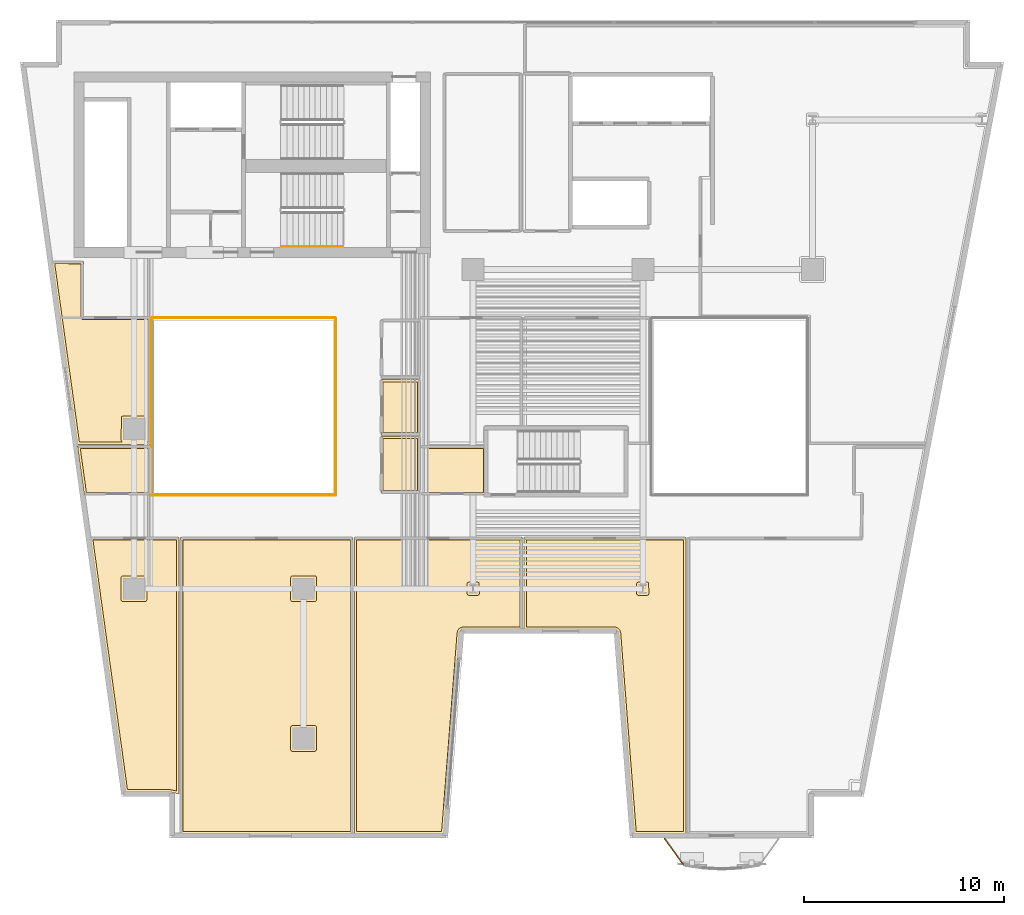
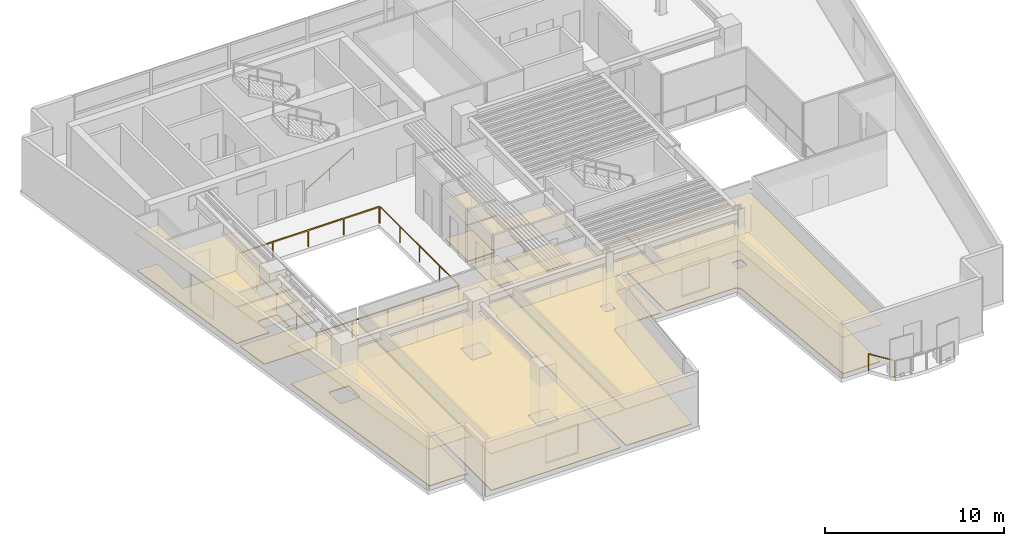
# One storey, part 9 of 12: 18 coverings, 6 railings.
"""IFC4 building model written with IfcOpenShell, lengths in metres."""

from ifc_helpers import new_model, si_unit, direction, frame, origin, origin_2d, place, context, subcontext, project, spatial, polyline, rectangle, outline, extrude, material, layer, layer_set, type_object, element, save


model = new_model("IFC4")

# Units and contexts
model_context = context("Model", 3, precision=1e-05, world=origin(), true_north=direction((0.0, 1.0)))
body_context = subcontext(model_context, "Body", "Model", "MODEL_VIEW")
ifc_project = project(units=[si_unit("LENGTHUNIT", "METRE"), si_unit("AREAUNIT", "SQUARE_METRE"), si_unit("VOLUMEUNIT", "CUBIC_METRE"), si_unit("PLANEANGLEUNIT", "RADIAN"), si_unit("MASSUNIT", "GRAM", prefix="KILO")], contexts=[model_context])

# Site, building, storey
site_placement = place(None, origin())
site = spatial("IfcSite", under=ifc_project, at=site_placement, CompositionType="ELEMENT")
building_placement = place(site_placement, origin())
building = spatial("IfcBuilding", under=site, at=building_placement, Name="Caeloran Harvest Quay", CompositionType="ELEMENT")
storey_placement = place(building_placement, frame((0.0, 0.0, 146.949951171875)))
storey = spatial("IfcBuildingStorey", under=building, at=storey_placement, Name="L34", CompositionType="ELEMENT", Elevation=146.949951171875)

# Coverings
ifc_material_1 = material(Name="Perforated Mineral-Fibre Acoustic Ceiling Tile", Category="ceiling")
ifc_layer_1 = layer(ifc_material_1, 0.0400390625, Name="Perforated Mineral-Fibre Acoustic Ceiling Tile")
ifc_layer_set_1 = layer_set([ifc_layer_1], Name="Perforated Mineral-Fibre Acoustic Ceiling Tile")
covering_type_1 = type_object("IfcCoveringType", Name="COV-CEILING-ACOUSTIC", PredefinedType="CEILING", material=ifc_layer_set_1)
covering_1_placement = place(storey_placement, frame((0.0, 0.0, 2.60009765625)))
element("IfcCovering", 1, at=covering_1_placement, inside=storey, type_object=covering_type_1, Name="L34 Female Washroom WC Acoustic Ceiling", PredefinedType="CEILING", context=body_context, shape_type="SweptSolid", body=[
    extrude(outline(polyline([(22.840087890625, 22.7099609375), (20.8701171875, 22.7099609375), (20.8701171875, 25.489990234375), (22.840087890625, 25.489990234375), (22.840087890625, 22.7099609375)])), origin(), (0.0, 0.0, 1.0), 0.0400390625),
])
covering_2_placement = place(storey_placement, frame((0.0, 0.0, 2.60009765625)))
element("IfcCovering", 2, at=covering_2_placement, inside=storey, type_object=covering_type_1, Name="L34 Accessible Unisex Washroom WC Acoustic Ceiling", PredefinedType="CEILING", context=body_context, shape_type="SweptSolid", body=[
    extrude(outline(polyline([(22.840087890625, 19.81005859375), (20.8701171875, 19.81005859375), (20.8701171875, 22.639892578125), (22.840087890625, 22.639892578125), (22.840087890625, 19.81005859375)])), origin(), (0.0, 0.0, 1.0), 0.0400390625),
])
covering_3_placement = place(storey_placement, frame((0.0, 0.0, 2.60009765625)))
element("IfcCovering", 3, at=covering_3_placement, inside=storey, type_object=covering_type_1, Name="Supply-Chain Digital Trading Floor Office Acoustic Ceiling", PredefinedType="CEILING", context=body_context, shape_type="SweptSolid", body=[
    extrude(outline(polyline([(19.4599609375, 2.719970703125), (10.840087890625, 2.719970703125), (10.840087890625, 17.56005859375), (19.4599609375, 17.56005859375), (19.4599609375, 2.719970703125)])), origin(), (0.0, 0.0, 1.0), 0.0400390625),
])
covering_4_placement = place(storey_placement, frame((0.0, 0.0, 2.60009765625)))
element("IfcCovering", 4, at=covering_4_placement, inside=storey, type_object=covering_type_1, Name="Climate Risk Modelling Office Acoustic Ceiling", PredefinedType="CEILING", context=body_context, shape_type="SweptSolid", body=[
    extrude(outline(polyline([(24.986572265625, 12.965576171875), (24.925048828125, 12.943359375), (24.8583984375, 12.887451171875), (24.810546875, 12.76611328125), (24.026611328125, 2.719970703125), (19.5400390625, 2.719970703125), (19.5400390625, 17.56005859375), (27.9599609375, 17.56005859375), (27.9599609375, 12.969970703125), (24.986572265625, 12.965576171875)])), origin(), (0.0, 0.0, 1.0), 0.0400390625),
])
covering_5_placement = place(storey_placement, frame((0.0, 0.0, 2.60009765625)))
element("IfcCovering", 5, at=covering_5_placement, inside=storey, type_object=covering_type_1, Name="Quantitative Analytics Office Acoustic Ceiling", PredefinedType="CEILING", context=body_context, shape_type="SweptSolid", body=[
    extrude(outline(polyline([(10.333740234375, 4.810546875), (8.0712890625, 4.820068359375), (6.309326171875, 17.56005859375), (10.760009765625, 17.56005859375), (10.760009765625, 4.729248046875), (10.390380859375, 4.783935546875), (10.333740234375, 4.810546875)])), origin(), (0.0, 0.0, 1.0), 0.0400390625),
])
covering_6_placement = place(storey_placement, frame((0.0, 0.0, 2.60009765625)))
element("IfcCovering", 6, at=covering_6_placement, inside=storey, type_object=covering_type_1, Name="Video-Conference Boardroom Acoustic Ceiling", PredefinedType="CEILING", context=body_context, shape_type="SweptSolid", body=[
    extrude(outline(polyline([(32.771484375, 12.788818359375), (32.739501953125, 12.86962890625), (32.696044921875, 12.918701171875), (32.61962890625, 12.960205078125), (32.553955078125, 12.969970703125), (28.0400390625, 12.969970703125), (28.0400390625, 17.56005859375), (36.159912109375, 17.56005859375), (36.159912109375, 2.719970703125), (33.55859375, 2.719970703125), (32.771484375, 12.788818359375)])), origin(), (0.0, 0.0, 1.0), 0.0400390625),
])
covering_7_placement = place(storey_placement, frame((0.0, 0.0, 2.60009765625)))
element("IfcCovering", 7, at=covering_7_placement, inside=storey, type_object=covering_type_1, Name="Executive Briefing Conference Room Acoustic Ceiling", PredefinedType="CEILING", context=body_context, shape_type="SweptSolid", body=[
    extrude(outline(polyline([(26.139892578125, 22.159912109375), (26.139892578125, 19.7099609375), (22.8701171875, 19.7099609375), (22.8701171875, 22.159912109375), (26.139892578125, 22.159912109375)])), origin(), (0.0, 0.0, 1.0), 0.0400390625),
])
covering_8_placement = place(storey_placement, frame((0.0, 0.0, 2.60009765625)))
element("IfcCovering", 8, at=covering_8_placement, inside=storey, type_object=covering_type_1, Name="Breakout Dining Kitchen Acoustic Ceiling", PredefinedType="CEILING", context=body_context, shape_type="SweptSolid", body=[
    extrude(outline(polyline([(5.67333984375, 22.159912109375), (9.360107421875, 22.159912109375), (9.360107421875, 19.7099609375), (6.01220703125, 19.7099609375), (5.67333984375, 22.159912109375)])), origin(), (0.0, 0.0, 1.0), 0.0400390625),
])
covering_9_placement = place(storey_placement, frame((0.0, 0.0, 2.60009765625)))
element("IfcCovering", 9, at=covering_9_placement, inside=storey, type_object=covering_type_1, Name="Climate Risk Modelling Office 10 Acoustic Ceiling", PredefinedType="CEILING", context=body_context, shape_type="SweptSolid", body=[
    extrude(outline(polyline([(5.9599609375, 31.389892578125), (5.9599609375, 28.610107421875), (9.360107421875, 28.610107421875), (9.360107421875, 22.239990234375), (5.662109375, 22.239990234375), (4.391357421875, 31.429931640625), (5.214599609375, 31.429931640625), (5.260009765625, 31.408447265625), (5.260009765625, 31.389892578125), (5.9599609375, 31.389892578125)])), origin(), (0.0, 0.0, 1.0), 0.0400390625),
])
ifc_material_2 = material(Name="Calcium-Sulphate Raised Access Floor and Terrazzo Finish", Category="flooring")
ifc_layer_2 = layer(ifc_material_2, 0.050048828125, Name="Calcium-Sulphate Raised Access Floor and Terrazzo Finish")
ifc_layer_set_2 = layer_set([ifc_layer_2], Name="Calcium-Sulphate Raised Access Floor and Terrazzo Finish")
covering_type_2 = type_object("IfcCoveringType", Name="COV-FLOOR-RAISED", PredefinedType="FLOORING", material=ifc_layer_set_2)
covering_10_placement = place(storey_placement, origin())
element("IfcCovering", 10, at=covering_10_placement, inside=storey, type_object=covering_type_2, Name="L34 Female Washroom WC Raised Finish Flooring", PredefinedType="FLOORING", context=body_context, shape_type="SweptSolid", body=[
    extrude(outline(polyline([(22.719970703125, 22.830078125), (20.989990234375, 22.830078125), (20.989990234375, 25.3701171875), (22.719970703125, 25.3701171875), (22.719970703125, 22.830078125)])), origin(), (0.0, 0.0, 1.0), 0.050048828125),
])
covering_11_placement = place(storey_placement, origin())
element("IfcCovering", 11, at=covering_11_placement, inside=storey, type_object=covering_type_2, Name="L34 Accessible Unisex Washroom WC Raised Finish Flooring", PredefinedType="FLOORING", context=body_context, shape_type="SweptSolid", body=[
    extrude(outline(polyline([(22.719970703125, 19.929931640625), (20.989990234375, 19.929931640625), (20.989990234375, 22.52001953125), (22.719970703125, 22.52001953125), (22.719970703125, 19.929931640625)])), origin(), (0.0, 0.0, 1.0), 0.050048828125),
])
covering_12_placement = place(storey_placement, origin())
element("IfcCovering", 12, at=covering_12_placement, inside=storey, type_object=covering_type_2, Name="Supply-Chain Digital Trading Floor Office Raised Finish Flooring", PredefinedType="FLOORING", context=body_context, shape_type="SweptSolid", body=[
    extrude(outline(polyline([(10.9599609375, 17.43994140625), (19.340087890625, 17.43994140625), (19.340087890625, 2.840087890625), (10.9599609375, 2.840087890625), (10.9599609375, 17.43994140625)]), holes=[polyline([(16.43505859375, 8.14501953125), (16.37841796875, 8.12158203125), (16.35498046875, 8.06494140625), (16.35498046875, 6.93505859375), (16.37841796875, 6.87841796875), (16.43505859375, 6.85498046875), (17.56494140625, 6.85498046875), (17.62158203125, 6.87841796875), (17.64501953125, 6.93505859375), (17.64501953125, 8.06494140625), (17.62158203125, 8.12158203125), (17.56494140625, 8.14501953125), (16.43505859375, 8.14501953125)]), polyline([(16.43505859375, 15.64501953125), (16.37841796875, 15.62158203125), (16.35498046875, 15.56494140625), (16.35498046875, 14.43505859375), (16.37841796875, 14.37841796875), (16.43505859375, 14.35498046875), (17.56494140625, 14.35498046875), (17.62158203125, 14.37841796875), (17.64501953125, 14.43505859375), (17.64501953125, 15.56494140625), (17.62158203125, 15.62158203125), (17.56494140625, 15.64501953125), (16.43505859375, 15.64501953125)])]), origin(), (0.0, 0.0, 1.0), 0.050048828125),
])
covering_13_placement = place(storey_placement, origin())
element("IfcCovering", 13, at=covering_13_placement, inside=storey, type_object=covering_type_2, Name="Climate Risk Modelling Office Raised Finish Flooring", PredefinedType="FLOORING", context=body_context, shape_type="SweptSolid", body=[
    extrude(outline(polyline([(25.000244140625, 13.088623046875), (24.89453125, 13.061767578125), (24.789794921875, 12.990478515625), (24.72607421875, 12.902099609375), (24.69140625, 12.780517578125), (23.91552734375, 2.840087890625), (19.659912109375, 2.840087890625), (19.659912109375, 17.43994140625), (27.840087890625, 17.43994140625), (27.840087890625, 13.090087890625), (25.000244140625, 13.088623046875)]), holes=[polyline([(25.806884765625, 14.748046875), (25.788818359375, 15.302734375), (25.73486328125, 15.33154296875), (25.27294921875, 15.33203125), (25.21630859375, 15.30859375), (25.193115234375, 15.251953125), (25.193115234375, 14.748046875), (25.21630859375, 14.69140625), (25.27294921875, 14.66796875), (25.72705078125, 14.66796875), (25.78369140625, 14.69140625), (25.806884765625, 14.748046875)])]), origin(), (0.0, 0.0, 1.0), 0.050048828125),
])
covering_14_placement = place(storey_placement, origin())
element("IfcCovering", 14, at=covering_14_placement, inside=storey, type_object=covering_type_2, Name="Quantitative Analytics Office Raised Finish Flooring", PredefinedType="FLOORING", context=body_context, shape_type="SweptSolid", body=[
    extrude(outline(polyline([(10.639892578125, 4.868408203125), (10.27001953125, 4.93994140625), (8.17578125, 4.93994140625), (6.447021484375, 17.43994140625), (10.639892578125, 17.43994140625), (10.639892578125, 4.868408203125)]), holes=[polyline([(7.93505859375, 15.64501953125), (7.87841796875, 15.62158203125), (7.85498046875, 15.56494140625), (7.85498046875, 14.43505859375), (7.87841796875, 14.37841796875), (7.93505859375, 14.35498046875), (9.06494140625, 14.35498046875), (9.12158203125, 14.37841796875), (9.14501953125, 14.43505859375), (9.14501953125, 15.56494140625), (9.12158203125, 15.62158203125), (9.06494140625, 15.64501953125), (7.93505859375, 15.64501953125)])]), origin(), (0.0, 0.0, 1.0), 0.050048828125),
])
covering_15_placement = place(storey_placement, origin())
element("IfcCovering", 15, at=covering_15_placement, inside=storey, type_object=covering_type_2, Name="Video-Conference Boardroom Raised Finish Flooring", PredefinedType="FLOORING", context=body_context, shape_type="SweptSolid", body=[
    extrude(outline(polyline([(32.89404296875, 12.776611328125), (32.85888671875, 12.902099609375), (32.795166015625, 12.990478515625), (32.6904296875, 13.061767578125), (32.584716796875, 13.088623046875), (28.159912109375, 13.090087890625), (28.159912109375, 17.43994140625), (36.0400390625, 17.43994140625), (36.0400390625, 2.840087890625), (33.66943359375, 2.840087890625), (32.89404296875, 12.776611328125)]), holes=[polyline([(34.306884765625, 14.748046875), (34.288818359375, 15.302734375), (34.23486328125, 15.33154296875), (33.77294921875, 15.33203125), (33.71630859375, 15.30859375), (33.693115234375, 15.251953125), (33.693115234375, 14.748046875), (33.71630859375, 14.69140625), (33.77294921875, 14.66796875), (34.22705078125, 14.66796875), (34.28369140625, 14.69140625), (34.306884765625, 14.748046875)])]), origin(), (0.0, 0.0, 1.0), 0.050048828125),
])
covering_16_placement = place(storey_placement, origin())
element("IfcCovering", 16, at=covering_16_placement, inside=storey, type_object=covering_type_2, Name="Executive Briefing Conference Room Raised Finish Flooring", PredefinedType="FLOORING", context=body_context, shape_type="SweptSolid", body=[
    extrude(outline(polyline([(26.02001953125, 22.0400390625), (26.02001953125, 19.830078125), (22.989990234375, 19.830078125), (22.989990234375, 22.0400390625), (26.02001953125, 22.0400390625)])), origin(), (0.0, 0.0, 1.0), 0.050048828125),
])
covering_17_placement = place(storey_placement, origin())
element("IfcCovering", 17, at=covering_17_placement, inside=storey, type_object=covering_type_2, Name="Breakout Dining Kitchen Raised Finish Flooring", PredefinedType="FLOORING", context=body_context, shape_type="SweptSolid", body=[
    extrude(outline(polyline([(5.81103515625, 22.0400390625), (9.239990234375, 22.0400390625), (9.239990234375, 19.830078125), (6.11669921875, 19.830078125), (5.81103515625, 22.0400390625)])), origin(), (0.0, 0.0, 1.0), 0.050048828125),
])
covering_18_placement = place(storey_placement, origin())
element("IfcCovering", 18, at=covering_18_placement, inside=storey, type_object=covering_type_2, Name="Climate Risk Modelling Office 10 Raised Finish Flooring", PredefinedType="FLOORING", context=body_context, shape_type="SweptSolid", body=[
    extrude(outline(polyline([(5.165283203125, 31.31005859375), (5.2431640625, 31.270263671875), (5.840087890625, 31.27001953125), (5.840087890625, 28.60009765625), (5.8857421875, 28.5107421875), (5.949951171875, 28.489990234375), (9.239990234375, 28.489990234375), (9.239990234375, 22.360107421875), (9.092529296875, 22.360107421875), (9.14501953125, 22.43505859375), (9.14501953125, 23.56494140625), (9.12158203125, 23.62158203125), (9.06494140625, 23.64501953125), (7.93505859375, 23.64501953125), (7.873291015625, 23.61572265625), (7.85498046875, 22.43505859375), (7.907470703125, 22.360107421875), (5.7666015625, 22.360107421875), (4.529052734375, 31.31005859375), (5.165283203125, 31.31005859375)])), origin(), (0.0, 0.0, 1.0), 0.050048828125),
])

# Railings
ifc_material_3 = material(Name="Powder-Coated Steel Post and Laminated Glass Guardrail", Category="steel")
ifc_layer_3 = layer(ifc_material_3, 0.06005859375, Name="Powder-Coated Steel Post and Laminated Glass Guardrail")
ifc_layer_set_3 = layer_set([ifc_layer_3], Name="Powder-Coated Steel Post and Laminated Glass Guardrail")
railing_type_1 = type_object("IfcRailingType", Name="GUARD-ATRIUM-1150", PredefinedType="GUARDRAIL", material=ifc_layer_set_3)
railing_1_placement = place(storey_placement, frame((9.412109375, 19.679931640625, 0.0)))
element("IfcRailing", 19, at=railing_1_placement, inside=storey, type_object=railing_type_1, Name="L34 Skylit Atrium Void Perimeter Guardrail Seg 1", PredefinedType="GUARDRAIL", context=body_context, shape_type="SweptSolid", body=[
    extrude(rectangle(XDim=0.048095703125, YDim=0.048095703125, at=origin_2d()), frame((0.0, 0.0, 1.1259765625), z_axis=(1.0, 0.0, 0.0), x_axis=(0.0, 1.0, 0.0)), (0.0, 0.0, 1.0), 9.17578125),
    extrude(rectangle(XDim=0.0419921875, YDim=0.0419921875, at=origin_2d()), origin(), (0.0, 0.0, 1.0), 1.101806640625),
    extrude(rectangle(XDim=0.0419921875, YDim=0.0419921875, at=origin_2d()), frame((2.2939453125, 0.0, 0.0)), (0.0, 0.0, 1.0), 1.101806640625),
    extrude(rectangle(XDim=0.0419921875, YDim=0.0419921875, at=origin_2d()), frame((4.587890625, 0.0, 0.0)), (0.0, 0.0, 1.0), 1.101806640625),
    extrude(rectangle(XDim=0.0419921875, YDim=0.0419921875, at=origin_2d()), frame((6.8818359375, 0.0, 0.0)), (0.0, 0.0, 1.0), 1.101806640625),
    extrude(rectangle(XDim=0.0419921875, YDim=0.0419921875, at=origin_2d()), frame((9.17578125, 0.0, 0.0)), (0.0, 0.0, 1.0), 1.101806640625),
])
railing_2_placement = place(storey_placement, frame((18.6201171875, 19.7119140625, 0.0)))
element("IfcRailing", 20, at=railing_2_placement, inside=storey, type_object=railing_type_1, Name="L34 Skylit Atrium Void Perimeter Guardrail Seg 2", PredefinedType="GUARDRAIL", context=body_context, shape_type="SweptSolid", body=[
    extrude(rectangle(XDim=0.048095703125, YDim=0.048095703125, at=origin_2d()), frame((0.0, 0.0, 1.1259765625), z_axis=(0.0, 1.0, 0.0), x_axis=(-1.0, 0.0, 0.0)), (0.0, 0.0, 1.0), 8.826171875),
    extrude(rectangle(XDim=0.0419921875, YDim=0.0419921875, at=origin_2d()), origin(), (0.0, 0.0, 1.0), 1.101806640625),
    extrude(rectangle(XDim=0.0419921875, YDim=0.0419921875, at=origin_2d()), frame((0.0, 2.20654296875, 0.0)), (0.0, 0.0, 1.0), 1.101806640625),
    extrude(rectangle(XDim=0.0419921875, YDim=0.0419921875, at=origin_2d()), frame((0.0, 4.4130859375, 0.0)), (0.0, 0.0, 1.0), 1.101806640625),
    extrude(rectangle(XDim=0.0419921875, YDim=0.0419921875, at=origin_2d()), frame((0.0, 6.61962890625, 0.0)), (0.0, 0.0, 1.0), 1.101806640625),
    extrude(rectangle(XDim=0.0419921875, YDim=0.0419921875, at=origin_2d()), frame((0.0, 8.826171875, 0.0)), (0.0, 0.0, 1.0), 1.101806640625),
])
railing_3_placement = place(storey_placement, frame((18.587890625, 28.570068359375, 0.0)))
element("IfcRailing", 21, at=railing_3_placement, inside=storey, type_object=railing_type_1, Name="L34 Skylit Atrium Void Perimeter Guardrail Seg 3", PredefinedType="GUARDRAIL", context=body_context, shape_type="SweptSolid", body=[
    extrude(rectangle(XDim=0.048095703125, YDim=0.048095703125, at=origin_2d()), frame((0.0, 0.0, 1.1259765625), z_axis=(-1.0, 0.0, 0.0), x_axis=(0.0, -1.0, 0.0)), (0.0, 0.0, 1.0), 9.17578125),
    extrude(rectangle(XDim=0.0419921875, YDim=0.0419921875, at=origin_2d()), origin(), (0.0, 0.0, 1.0), 1.101806640625),
    extrude(rectangle(XDim=0.0419921875, YDim=0.0419921875, at=origin_2d()), frame((-2.2939453125, 0.0, 0.0)), (0.0, 0.0, 1.0), 1.101806640625),
    extrude(rectangle(XDim=0.0419921875, YDim=0.0419921875, at=origin_2d()), frame((-4.587890625, 0.0, 0.0)), (0.0, 0.0, 1.0), 1.101806640625),
    extrude(rectangle(XDim=0.0419921875, YDim=0.0419921875, at=origin_2d()), frame((-6.8818359375, 0.0, 0.0)), (0.0, 0.0, 1.0), 1.101806640625),
    extrude(rectangle(XDim=0.0419921875, YDim=0.0419921875, at=origin_2d()), frame((-9.17578125, 0.0, 0.0)), (0.0, 0.0, 1.0), 1.101806640625),
])
railing_4_placement = place(storey_placement, frame((9.3798828125, 28.5380859375, 0.0)))
element("IfcRailing", 22, at=railing_4_placement, inside=storey, type_object=railing_type_1, Name="L34 Skylit Atrium Void Perimeter Guardrail Seg 4", PredefinedType="GUARDRAIL", context=body_context, shape_type="SweptSolid", body=[
    extrude(rectangle(XDim=0.048095703125, YDim=0.048095703125, at=origin_2d()), frame((0.0, 0.0, 1.1259765625), z_axis=(0.0, -1.0, 0.0), x_axis=(1.0, 0.0, 0.0)), (0.0, 0.0, 1.0), 8.826171875),
    extrude(rectangle(XDim=0.0419921875, YDim=0.0419921875, at=origin_2d()), origin(), (0.0, 0.0, 1.0), 1.101806640625),
    extrude(rectangle(XDim=0.0419921875, YDim=0.0419921875, at=origin_2d()), frame((0.0, -2.20654296875, 0.0)), (0.0, 0.0, 1.0), 1.101806640625),
    extrude(rectangle(XDim=0.0419921875, YDim=0.0419921875, at=origin_2d()), frame((0.0, -4.4130859375, 0.0)), (0.0, 0.0, 1.0), 1.101806640625),
    extrude(rectangle(XDim=0.0419921875, YDim=0.0419921875, at=origin_2d()), frame((0.0, -6.61962890625, 0.0)), (0.0, 0.0, 1.0), 1.101806640625),
    extrude(rectangle(XDim=0.0419921875, YDim=0.0419921875, at=origin_2d()), frame((0.0, -8.826171875, 0.0)), (0.0, 0.0, 1.0), 1.101806640625),
])
ifc_material_4 = material(Name="Laminated Safety Glass and Stainless Steel 316", Category="steel")
ifc_layer_4 = layer(ifc_material_4, 0.06005859375, Name="Laminated Safety Glass and Stainless Steel 316")
ifc_layer_set_4 = layer_set([ifc_layer_4], Name="Laminated Safety Glass and Stainless Steel 316")
railing_type_2 = type_object("IfcRailingType", Name="GUARD-BALUSTRADE-1150", PredefinedType="BALUSTRADE", material=ifc_layer_set_4)
railing_5_placement = place(storey_placement, frame((36.0263671875, 1.185791015625, 0.0)))
element("IfcRailing", 23, at=railing_5_placement, inside=storey, type_object=railing_type_2, Name="L34 Planted Balcony Perimeter Balustrade Guard Seg 6", PredefinedType="BALUSTRADE", context=body_context, shape_type="SweptSolid", body=[
    extrude(rectangle(XDim=0.048095703125, YDim=0.048095703125, at=origin_2d()), frame((0.0, 0.0, 1.1259765625), z_axis=(-0.58654437313, 0.809917093504, 0.0), x_axis=(-0.809917093504, -0.58654437313, 0.0)), (0.0, 0.0, 1.0), 1.597900390625),
    extrude(rectangle(XDim=0.0419921875, YDim=0.0419921875, at=origin_2d()), origin(), (0.0, 0.0, 1.0), 1.101806640625),
    extrude(rectangle(XDim=0.0419921875, YDim=0.0419921875, at=origin_2d()), frame((-0.937255859375, 1.294189453125, 0.0)), (0.0, 0.0, 1.0), 1.101806640625),
])
ifc_material_5 = material(Name="Brushed Stainless Steel Grade 304", Category="steel")
ifc_layer_5 = layer(ifc_material_5, 0.050048828125, Name="Brushed Stainless Steel Grade 304")
ifc_layer_set_5 = layer_set([ifc_layer_5], Name="Brushed Stainless Steel Grade 304")
railing_type_3 = type_object("IfcRailingType", Name="STAIR-HANDRAIL-900", PredefinedType="HANDRAIL", material=ifc_layer_set_5)
railing_6_placement = place(storey_placement, frame((15.89990234375, 32.14990234375, 0.16455078125)))
element("IfcRailing", 24, at=railing_6_placement, inside=storey, type_object=railing_type_3, Name="L34 ST-C2 stair handrail 1", PredefinedType="HANDRAIL", context=body_context, shape_type="SweptSolid", body=[
    extrude(rectangle(XDim=0.048095703125, YDim=0.048095703125, at=origin_2d()), frame((0.0, 0.0, 0.8759765625), z_axis=(0.862088758681, 0.0, 0.506757310905), x_axis=(0.0, 1.0, 0.0)), (0.0, 0.0, 1.0), 3.57275390625),
    extrude(rectangle(XDim=0.0419921875, YDim=0.0419921875, at=origin_2d()), origin(), (0.0, 0.0, 1.0), 0.851806640625),
    extrude(rectangle(XDim=0.0419921875, YDim=0.0419921875, at=origin_2d()), frame((1.5400390625, 0.0, 0.9052734375)), (0.0, 0.0, 1.0), 0.851806640625),
    extrude(rectangle(XDim=0.0419921875, YDim=0.0419921875, at=origin_2d()), frame((3.080078125, 0.0, 1.810546875)), (0.0, 0.0, 1.0), 0.851806640625),
])

save(model, "model.ifc")
